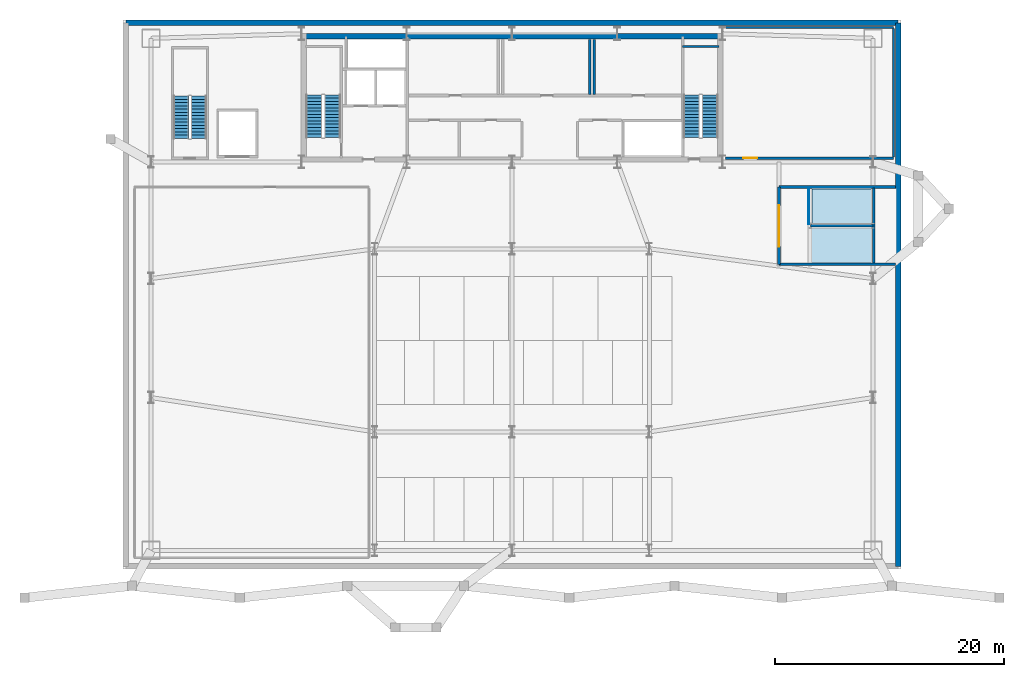
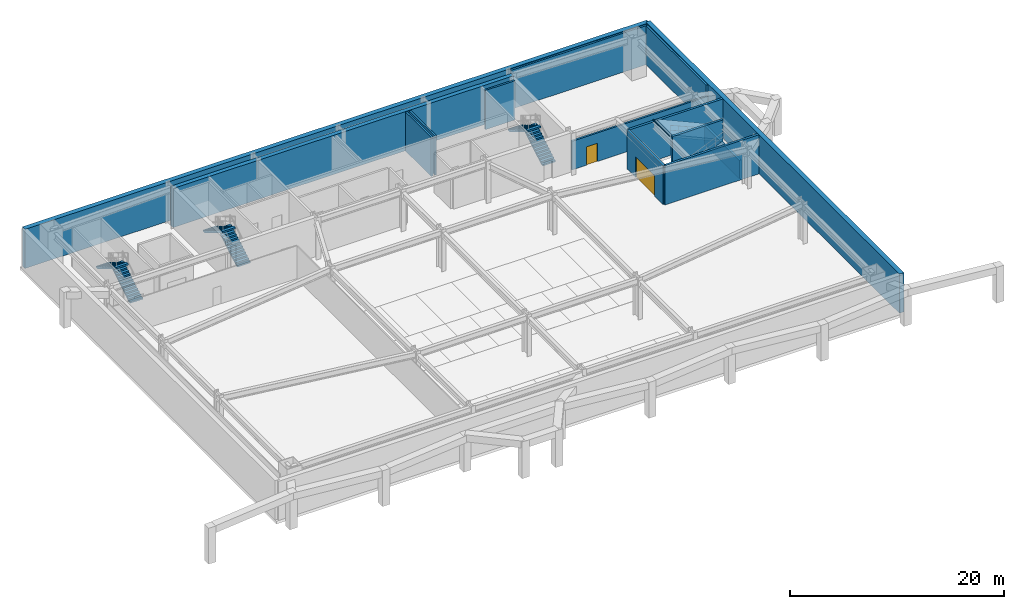
# One storey, part 6 of 9: 14 walls, 6 stair flights, 2 doors, 2 slabs, 1 ramp, 2 openings, 3 elements without a shape of their own.
"""IFC4 building model written with IfcOpenShell, lengths in metres."""

from ifc_helpers import new_model, si_unit, direction, frame, frame_2d, origin, place, context, subcontext, project, spatial, polyline, rectangle, outline, extrude, source, transform, mapped, material, layer, layer_set, type_object, type_shapes, element, fill, aggregate, save


model = new_model("IFC4")

# Units and contexts
model_context = context("Model", 3, precision=1e-05, world=origin(), true_north=direction((0.0, 1.0)))
body_context = subcontext(model_context, "Body", "Model", "MODEL_VIEW")
ifc_project = project(units=[si_unit("LENGTHUNIT", "METRE"), si_unit("AREAUNIT", "SQUARE_METRE"), si_unit("VOLUMEUNIT", "CUBIC_METRE"), si_unit("PLANEANGLEUNIT", "RADIAN"), si_unit("MASSUNIT", "GRAM", prefix="KILO")], contexts=[model_context])

# Slab
ifc_material_1 = material(Name="Concrete CSA A23.3 C40/50", Category="concrete")
ifc_layer_1 = layer(ifc_material_1, 0.25, Name="Concrete CSA A23.3 C40/50")
ifc_layer_set_1 = layer_set([ifc_layer_1], Name="Concrete CSA A23.3 C40/50")
slab_type = type_object("IfcSlabType", Name="Slab_VehicleRampB1", PredefinedType="FLOOR", material=ifc_layer_set_1)
site_placement = place(None, origin())
building_placement = place(site_placement, origin())
storey_placement = place(building_placement, frame((0.0, 0.0, -4.800048828125)))
slab_1_placement = place(storey_placement, frame((60.199951171875, 30.159912109375, 4.800048828125), z_axis=(0.408644061443, 0.0, 0.912693832042), x_axis=(0.0, 1.0, 0.0)))
slab_1 = element("IfcSlab", 1, at=slab_1_placement, type_object=slab_type, Name="B1 Vehicle Ramp Upper Structural Slab", PredefinedType="FLOOR", context=body_context, shape_type="SweptSolid", body=[
    extrude(outline(polyline([(0.0, 0.0), (0.255126953125, 0.0), (0.510009765625, 0.0), (0.76513671875, 0.0), (1.02001953125, 0.0), (1.275146484375, 0.0), (1.530029296875, 0.0), (1.78515625, 0.0), (2.0400390625, 0.0), (2.295166015625, 0.0), (2.550048828125, 0.0), (2.80517578125, 0.0), (3.06005859375, 0.0), (3.06005859375, -5.87284282384402), (2.80517578125, -5.87284282384402), (2.550048828125, -5.87284282384402), (2.295166015625, -5.87284282384402), (2.0400390625, -5.87284282384402), (1.78515625, -5.87284282384402), (1.530029296875, -5.87284282384402), (1.275146484375, -5.87284282384402), (1.02001953125, -5.87284282384402), (0.76513671875, -5.87284282384402), (0.510009765625, -5.87284282384402), (0.255126953125, -5.87284282384402), (0.0, -5.87284282384402), (0.0, 0.0)])), origin(), (0.0, 0.0, -1.0), 0.25),
])

slab_2_placement = place(storey_placement, frame((65.4599609375, 26.820068359375, 2.400146484375), z_axis=(-0.408694195683, 0.0, 0.912671383585), x_axis=(0.0, 1.0, 0.0)))
slab_2 = element("IfcSlab", 2, at=slab_2_placement, type_object=slab_type, Name="B1 Vehicle Ramp Lower Structural Slab", PredefinedType="FLOOR", context=body_context, shape_type="SweptSolid", body=[
    extrude(outline(polyline([(0.0, 0.0), (0.2548828125, 0.0), (0.510009765625, 0.0), (0.764892578125, 0.0), (1.02001953125, 0.0), (1.27490234375, 0.0), (1.530029296875, 0.0), (1.784912109375, 0.0), (2.0400390625, 0.0), (2.294921875, 0.0), (2.550048828125, 0.0), (2.804931640625, 0.0), (3.059814453125, 0.0), (3.059814453125, 5.872719773678094), (2.804931640625, 5.872719773678094), (2.550048828125, 5.872719773678094), (2.294921875, 5.872719773678094), (2.0400390625, 5.872719773678094), (1.784912109375, 5.872719773678094), (1.530029296875, 5.872719773678094), (1.27490234375, 5.872719773678094), (1.02001953125, 5.872719773678094), (0.764892578125, 5.872719773678094), (0.510009765625, 5.872719773678094), (0.2548828125, 5.872719773678094), (0.0, 5.872719773678094), (0.0, 0.0)])), origin(), (0.0, 0.0, -1.0), 0.25),
])

# Site, building, storey
site = spatial("IfcSite", under=ifc_project, at=site_placement, CompositionType="ELEMENT")
building = spatial("IfcBuilding", under=site, at=building_placement, Name="Varnel Quay Broadcast Tower", CompositionType="ELEMENT")
storey = spatial("IfcBuildingStorey", under=building, at=storey_placement, Name="B1", CompositionType="ELEMENT", Elevation=-4.800048828125)

# Walls
ifc_material_2 = material(Name="Concrete CSA A23.3 C50/60", Category="concrete")
ifc_layer_2 = layer(ifc_material_2, 0.5, Name="Concrete CSA A23.3 C50/60")
ifc_layer_set_2 = layer_set([ifc_layer_2], Name="Concrete CSA A23.3 C50/60")
wall_type_1 = type_object("IfcWallType", Name="Wall_BasementRetaining500", PredefinedType="USERDEFINED", material=ifc_layer_set_2)
wall_1_placement = place(storey_placement, frame((67.75, 0.25, 0.0), z_axis=(0.0, 0.0, 1.0), x_axis=(0.0, 1.0, 0.0)))
element("IfcWall", 3, at=wall_1_placement, inside=storey, type_object=wall_type_1, Name="B1 Perimeter Retaining Wall E", ObjectType="RETAININGWALL", PredefinedType="USERDEFINED", context=body_context, shape_type="SweptSolid", body=[
    extrude(rectangle(XDim=47.5, YDim=0.5, at=frame_2d((23.75, 0.0))), origin(), (0.0, 0.0, 1.0), 4.47998046875),
])
wall_2_placement = place(storey_placement, frame((67.75, 47.75, 0.0), z_axis=(0.0, 0.0, 1.0), x_axis=(-1.0, 0.0, 0.0)))
element("IfcWall", 4, at=wall_2_placement, inside=storey, type_object=wall_type_1, Name="B1 Perimeter Retaining Wall N", ObjectType="RETAININGWALL", PredefinedType="USERDEFINED", context=body_context, shape_type="SweptSolid", body=[
    extrude(rectangle(XDim=67.5, YDim=0.5, at=frame_2d((33.75, 0.0))), origin(), (0.0, 0.0, 1.0), 4.47998046875),
])
ifc_layer_3 = layer(ifc_material_2, 0.199951171875, Name="Concrete CSA A23.3 C50/60")
ifc_layer_set_3 = layer_set([ifc_layer_3], Name="Concrete CSA A23.3 C50/60")
wall_type_2 = type_object("IfcWallType", Name="Wall_CoreShaftShear200", PredefinedType="SHEAR", material=ifc_layer_set_3)
wall_3_placement = place(storey_placement, frame((48.919921875, 45.679931640625, 0.0), z_axis=(0.0, 0.0, 1.0), x_axis=(1.0, 0.0, 0.0)))
element("IfcWall", 5, at=wall_3_placement, inside=storey, type_object=wall_type_2, Name="B1 Stair 2 North Structural Wall", PredefinedType="SHEAR", context=body_context, shape_type="SweptSolid", body=[
    extrude(rectangle(XDim=3.18017578125, YDim=0.199951171875, at=frame_2d((1.590087890625, 0.0))), origin(), (0.0, 0.0, 1.0), 4.47998046875),
])
ifc_layer_4 = layer(ifc_material_2, 0.25, Name="Concrete CSA A23.3 C50/60")
ifc_layer_set_4 = layer_set([ifc_layer_4], Name="Concrete CSA A23.3 C50/60")
wall_type_3 = type_object("IfcWallType", Name="Wall_CoreShaftShear250", PredefinedType="SHEAR", material=ifc_layer_set_4)
for number, where, z_axis, x_axis, name in (
    (6, (57.320068359375, 26.64990234375, 0.0), (0.0, 0.0, 1.0), (1.0, 0.0, 0.0), "B1 Vehicle Ramp Structural Enclosure Wall S"),
    (7, (57.320068359375, 33.39990234375, 0.0), (0.0, 0.0, 1.0), (1.0, 0.0, 0.0), "B1 Vehicle Ramp Structural Enclosure Wall N"),
):
    element("IfcWall", number, at=place(storey_placement, frame(where, z_axis=z_axis, x_axis=x_axis)), inside=storey, type_object=wall_type_3, Name=name, PredefinedType="SHEAR", context=body_context, shape_type="SweptSolid", body=[
        extrude(rectangle(XDim=10.179931640625, YDim=0.25, at=frame_2d((5.08984375, 0.0))), origin(), (0.0, 0.0, 1.0), 4.47998046875),
    ])
wall_4_placement = place(storey_placement, frame((60.080078125, 30.02001953125, 0.0), z_axis=(0.0, 0.0, 1.0), x_axis=(1.0, 0.0, 0.0)))
element("IfcWall", 8, at=wall_4_placement, inside=storey, type_object=wall_type_3, Name="B1 Vehicle Ramp Structural Enclosure Wall DIV", PredefinedType="SHEAR", context=body_context, shape_type="SweptSolid", body=[
    extrude(rectangle(XDim=5.47998046875, YDim=0.25, at=frame_2d((2.739990234375, 0.0))), origin(), (0.0, 0.0, 1.0), 4.800048828125),
])

# Wall, opening, door
wall_5_placement = place(storey_placement, frame((57.320068359375, 26.64990234375, 0.0), z_axis=(0.0, 0.0, 1.0), x_axis=(0.0, 1.0, 0.0)))
wall_5 = element("IfcWall", 9, at=wall_5_placement, inside=storey, type_object=wall_type_3, Name="B1 Vehicle Ramp West Portal Wall", PredefinedType="SHEAR", context=body_context, shape_type="SweptSolid", body=[
    extrude(rectangle(XDim=6.75, YDim=0.25, at=frame_2d((3.375, 0.0))), origin(), (0.0, 0.0, 1.0), 4.47998046875),
])
opening_1_placement = place(wall_5_placement, frame((1.550048828125, 0.0, 0.0)))
opening_1 = element("IfcOpeningElement", 10, at=opening_1_placement, cuts=wall_5, Name="Opening GT-B1A", PredefinedType="OPENING", context=body_context, shape_type="SweptSolid", body=[
    extrude(rectangle(XDim=3.60009765625, YDim=2.35009765625, at=frame_2d((1.800048828125, 1.175048828125))), frame((0.0, 0.135009765625, 0.0), z_axis=(0.0, -1.0, 0.0), x_axis=(1.0, 0.0, 0.0)), (0.0, 0.0, 1.0), 0.27001953125),
])
ifc_material_3 = material(Name="Galvanised Steel Parking Shutter Assembly", Category="steel")
door_type_1 = type_object("IfcDoorType", Name="Gate_BasementRamp3600", OperationType="ROLLINGUP", PredefinedType="GATE", material=ifc_material_3)
shared_shape_1 = source(origin(), body_context, "Body", "SweptSolid", [
    extrude(rectangle(XDim=3.60009765625, YDim=2.35009765625, at=frame_2d((1.800048828125, 1.175048828125))), frame((0.0, 0.02490234375, 0.0), z_axis=(0.0, -1.0, 0.0), x_axis=(1.0, 0.0, 0.0)), (0.0, 0.0, 1.0), 0.050048828125),
])
type_shapes(door_type_1, [shared_shape_1])
door_1_placement = place(opening_1_placement, frame((3.60009765625, 0.0, 0.0), z_axis=(0.0, 0.0, 1.0), x_axis=(-1.0, 0.0, 0.0)))
door_1 = element("IfcDoor", 11, at=door_1_placement, inside=storey, type_object=door_type_1, Name="B1 Vehicle Ramp Shutter Gate", OperationType="ROLLINGUP", OverallHeight=2.35009765625, OverallWidth=3.60009765625, PredefinedType="GATE", context=body_context, shape_type="MappedRepresentation", body=[
    mapped(shared_shape_1, transform((0.0, 0.0, 0.0), x_axis=(1.0, 0.0, 0.0), y_axis=(0.0, 1.0, 0.0), z_axis=(0.0, 0.0, 1.0), scale=1.0)),
])
fill(opening_1, door_1)

# Walls
wall_6_placement = place(storey_placement, frame((65.6201171875, 26.75, 0.0), z_axis=(0.0, 0.0, 1.0), x_axis=(0.0, 1.0, 0.0)))
element("IfcWall", 12, at=wall_6_placement, inside=storey, type_object=wall_type_3, Name="B1 Vehicle Ramp Mid-Landing Support Wall", PredefinedType="SHEAR", context=body_context, shape_type="SweptSolid", body=[
    extrude(rectangle(XDim=6.550048828125, YDim=0.25, at=frame_2d((3.27490234375, 0.0))), origin(), (0.0, 0.0, 1.0), 2.10009765625),
])
ifc_material_4 = material(Name="Concrete CSA A23.3 C60/75", Category="concrete")
ifc_layer_5 = layer(ifc_material_4, 0.449951171875, Name="Concrete CSA A23.3 C60/75")
ifc_layer_set_5 = layer_set([ifc_layer_5], Name="Concrete CSA A23.3 C60/75")
wall_type_4 = type_object("IfcWallType", Name="Wall_CoreShearInt450", PredefinedType="SHEAR", material=ifc_layer_set_5)
wall_7_placement = place(storey_placement, frame((15.60009765625, 46.574951171875, 0.0), z_axis=(0.0, 0.0, 1.0), x_axis=(1.0, 0.0, 0.0)))
element("IfcWall", 13, at=wall_7_placement, inside=storey, type_object=wall_type_4, Name="B1 North Core Shear Wall", PredefinedType="SHEAR", context=body_context, shape_type="SweptSolid", body=[
    extrude(rectangle(XDim=36.7998046875, YDim=0.449951171875, at=frame_2d((18.39990234375, 0.0))), origin(), (0.0, 0.0, 1.0), 4.47998046875),
])

# Wall, opening, door
ifc_material_5 = material(Name="Concrete Blockwork Fire Enclosure C40/50", Category="masonry")
ifc_layer_6 = layer(ifc_material_5, 0.199951171875, Name="Concrete Blockwork Fire Enclosure C40/50")
ifc_layer_set_6 = layer_set([ifc_layer_6], Name="Concrete Blockwork Fire Enclosure C40/50")
wall_type_5 = type_object("IfcWallType", Name="Wall_FireShaft200", PredefinedType="SOLIDWALL", material=ifc_layer_set_6)
wall_8_placement = place(storey_placement, frame((52.64990234375, 35.925048828125, 0.0), z_axis=(0.0, 0.0, 1.0), x_axis=(1.0, 0.0, 0.0)))
wall_8 = element("IfcWall", 14, at=wall_8_placement, inside=storey, type_object=wall_type_5, Name="B1 13.8 kV Hydro Substation & Standby Generator Plant Room Partition 12", PredefinedType="SOLIDWALL", context=body_context, shape_type="SweptSolid", body=[
    extrude(rectangle(XDim=14.7001953125, YDim=0.199951171875, at=frame_2d((7.35009765625, 0.0))), origin(), (0.0, 0.0, 1.0), 3.275146484375),
])
opening_2_placement = place(wall_8_placement, frame((1.574951171875, 0.0, 0.0)))
opening_2 = element("IfcOpeningElement", 15, at=opening_2_placement, cuts=wall_8, Name="Opening D-B1-05", PredefinedType="OPENING", context=body_context, shape_type="SweptSolid", body=[
    extrude(rectangle(XDim=1.199951171875, YDim=2.10009765625, at=frame_2d((0.60009765625, 1.050048828125))), frame((0.0, 0.10986328125, 0.0), z_axis=(0.0, -1.0, 0.0), x_axis=(1.0, 0.0, 0.0)), (0.0, 0.0, 1.0), 0.219970703125),
])
ifc_material_6 = material(Name="Insulated Fire-Rated Hollow Steel Door", Category="steel")
door_type_2 = type_object("IfcDoorType", Name="Door_Plant1200", OperationType="NOTDEFINED", PredefinedType="DOOR", material=ifc_material_6)
shared_shape_2 = source(origin(), body_context, "Body", "SweptSolid", [
    extrude(rectangle(XDim=1.199951171875, YDim=2.10009765625, at=frame_2d((0.60009765625, 1.050048828125))), frame((0.0, 0.02490234375, 0.0), z_axis=(0.0, -1.0, 0.0), x_axis=(1.0, 0.0, 0.0)), (0.0, 0.0, 1.0), 0.050048828125),
])
type_shapes(door_type_2, [shared_shape_2])
door_2_placement = place(opening_2_placement, frame((1.199951171875, 0.0, 0.0), z_axis=(0.0, 0.0, 1.0), x_axis=(-1.0, 0.0, 0.0)))
door_2 = element("IfcDoor", 16, at=door_2_placement, inside=storey, type_object=door_type_2, Name="B1 13.8 kV Hydro Substation & Standby Generator Plant Room Door D-B1-05", OperationType="SINGLE_SWING_RIGHT", OverallHeight=2.10009765625, OverallWidth=1.199951171875, PredefinedType="DOOR", context=body_context, shape_type="MappedRepresentation", body=[
    mapped(shared_shape_2, transform((0.0, 0.0, 0.0), x_axis=(1.0, 0.0, 0.0), y_axis=(0.0, 1.0, 0.0), z_axis=(0.0, 0.0, 1.0), scale=1.0)),
])
fill(opening_2, door_2)

# Walls
wall_9_placement = place(storey_placement, frame((67.35009765625, 36.02490234375, 0.0), z_axis=(0.0, 0.0, 1.0), x_axis=(0.0, 1.0, 0.0)))
element("IfcWall", 17, at=wall_9_placement, inside=storey, type_object=wall_type_5, Name="B1 13.8 kV Hydro Substation & Standby Generator Plant Room Partition 13", PredefinedType="SOLIDWALL", context=body_context, shape_type="SweptSolid", body=[
    extrude(rectangle(XDim=11.22509765625, YDim=0.199951171875, at=frame_2d((5.612548828125, 0.0))), origin(), (0.0, 0.0, 1.0), 4.4599609375),
])
wall_10_placement = place(storey_placement, frame((52.64990234375, 47.35009765625, 0.0), z_axis=(0.0, 0.0, 1.0), x_axis=(1.0, 0.0, 0.0)))
element("IfcWall", 18, at=wall_10_placement, inside=storey, type_object=wall_type_5, Name="B1 13.8 kV Hydro Substation & Standby Generator Plant Room Partition 14", PredefinedType="SOLIDWALL", context=body_context, shape_type="SweptSolid", body=[
    extrude(rectangle(XDim=14.7001953125, YDim=0.199951171875, at=frame_2d((7.35009765625, 0.0))), origin(), (0.0, 0.0, 1.0), 4.4599609375),
])
for number, where, z_axis, x_axis, name in (
    (19, (40.800048828125, 41.5, 0.0), (0.0, 0.0, 1.0), (0.0, 1.0, 0.0), "B1 Sprinkler Valve Room Partition 16"),
    (20, (41.199951171875, 41.5, 0.0), (0.0, 0.0, 1.0), (0.0, 1.0, 0.0), "B1 Main Switchgear Vault Partition 18"),
):
    element("IfcWall", number, at=place(storey_placement, frame(where, z_axis=z_axis, x_axis=x_axis)), inside=storey, type_object=wall_type_5, Name=name, PredefinedType="SOLIDWALL", context=body_context, shape_type="SweptSolid", body=[
        extrude(rectangle(XDim=4.800048828125, YDim=0.199951171875, at=frame_2d((2.39990234375, 0.0))), origin(), (0.0, 0.0, 1.0), 4.4599609375),
    ])

# Stair, stair flights
ifc_material_7 = material(Name="Precast Structural Concrete C40/50", Category="concrete")
stair_type_1 = type_object("IfcStairType", Name="Stair_ST-01", PredefinedType="HALF_TURN_STAIR", material=ifc_material_7)
stair_1_placement = place(storey_placement, origin())
stair_1 = element("IfcStair", 21, at=stair_1_placement, inside=storey, type_object=stair_type_1, Name="B1 West Core Exit Stair 1", PredefinedType="HALF_TURN_STAIR")
stair_flight_type_1 = type_object("IfcStairFlightType", Name="Flight_ST-01", PredefinedType="STRAIGHT", material=ifc_material_7)
stair_flight_1_placement = place(storey_placement, frame((18.300048828125, 37.75, 0.0), z_axis=(0.0, 0.0, 1.0), x_axis=(0.0, 1.0, 0.0)))
stair_flight_1 = element("IfcStairFlight", 22, at=stair_flight_1_placement, type_object=stair_flight_type_1, Name="ST-01 flight 1", NumberOfRisers=14, NumberOfTreads=13, PredefinedType="STRAIGHT", RiserHeight=0.171428571, TreadLength=0.285, context=body_context, shape_type="SweptSolid", body=[
    extrude(outline(polyline([(0.0, 0.0), (0.0, 0.17138671875), (0.284912109375, 0.17138671875), (0.284912109375, 0.3427734375), (0.570068359375, 0.3427734375), (0.570068359375, 0.514404296875), (0.85498046875, 0.514404296875), (0.85498046875, 0.685791015625), (1.139892578125, 0.685791015625), (1.139892578125, 0.857177734375), (1.425048828125, 0.857177734375), (1.425048828125, 1.028564453125), (1.7099609375, 1.028564453125), (1.7099609375, 1.199951171875), (1.9951171875, 1.199951171875), (1.9951171875, 1.371337890625), (2.280029296875, 1.371337890625), (2.280029296875, 1.54296875), (2.56494140625, 1.54296875), (2.56494140625, 1.71435546875), (2.85009765625, 1.71435546875), (2.85009765625, 1.8857421875), (3.135009765625, 1.8857421875), (3.135009765625, 2.05712890625), (3.419921875, 2.05712890625), (3.419921875, 2.228515625), (3.705078125, 2.228515625), (3.705078125, 2.39990234375), (3.705078125, 2.0537109375), (0.290771484375, 0.0), (0.0, 0.0)])), frame((0.0, 0.699951171875, 0.0), z_axis=(0.0, -1.0, 0.0), x_axis=(1.0, 0.0, 0.0)), (0.0, 0.0, 1.0), 1.39990234375),
])
stair_flight_2_placement = place(storey_placement, frame((16.699951171875, 41.455078125, 2.400146484375), z_axis=(0.0, 0.0, 1.0), x_axis=(0.0, -1.0, 0.0)))
stair_flight_2 = element("IfcStairFlight", 23, at=stair_flight_2_placement, type_object=stair_flight_type_1, Name="ST-01 flight 2", NumberOfRisers=14, NumberOfTreads=13, PredefinedType="STRAIGHT", RiserHeight=0.171428571, TreadLength=0.285, context=body_context, shape_type="SweptSolid", body=[
    extrude(outline(polyline([(0.0, 0.0), (0.0, 0.17138671875), (0.284912109375, 0.17138671875), (0.284912109375, 0.3427734375), (0.570068359375, 0.3427734375), (0.570068359375, 0.514404296875), (0.85498046875, 0.514404296875), (0.85498046875, 0.685791015625), (1.139892578125, 0.685791015625), (1.139892578125, 0.857177734375), (1.425048828125, 0.857177734375), (1.425048828125, 1.028564453125), (1.7099609375, 1.028564453125), (1.7099609375, 1.199951171875), (1.9951171875, 1.199951171875), (1.9951171875, 1.371337890625), (2.280029296875, 1.371337890625), (2.280029296875, 1.54296875), (2.56494140625, 1.54296875), (2.56494140625, 1.71435546875), (2.85009765625, 1.71435546875), (2.85009765625, 1.8857421875), (3.135009765625, 1.8857421875), (3.135009765625, 2.05712890625), (3.419921875, 2.05712890625), (3.419921875, 2.228515625), (3.705078125, 2.228515625), (3.705078125, 2.39990234375), (3.705078125, 2.0537109375), (0.290771484375, 0.0), (0.0, 0.0)])), frame((0.0, 0.699951171875, 0.0), z_axis=(0.0, -1.0, 0.0), x_axis=(1.0, 0.0, 0.0)), (0.0, 0.0, 1.0), 1.39990234375),
])
aggregate(stair_1, [stair_flight_1, stair_flight_2])

stair_type_2 = type_object("IfcStairType", Name="Stair_ST-02", PredefinedType="HALF_TURN_STAIR", material=ifc_material_7)
stair_2_placement = place(storey_placement, origin())
stair_2 = element("IfcStair", 24, at=stair_2_placement, inside=storey, type_object=stair_type_2, Name="B1 East Core Exit Stair 2", PredefinedType="HALF_TURN_STAIR")
stair_flight_type_2 = type_object("IfcStairFlightType", Name="Flight_ST-02", PredefinedType="STRAIGHT", material=ifc_material_7)
stair_flight_3_placement = place(storey_placement, frame((51.300048828125, 37.75, 0.0), z_axis=(0.0, 0.0, 1.0), x_axis=(0.0, 1.0, 0.0)))
stair_flight_3 = element("IfcStairFlight", 25, at=stair_flight_3_placement, type_object=stair_flight_type_2, Name="ST-02 flight 1", NumberOfRisers=14, NumberOfTreads=13, PredefinedType="STRAIGHT", RiserHeight=0.171428571, TreadLength=0.285, context=body_context, shape_type="SweptSolid", body=[
    extrude(outline(polyline([(0.0, 0.0), (0.0, 0.17138671875), (0.284912109375, 0.17138671875), (0.284912109375, 0.3427734375), (0.570068359375, 0.3427734375), (0.570068359375, 0.514404296875), (0.85498046875, 0.514404296875), (0.85498046875, 0.685791015625), (1.139892578125, 0.685791015625), (1.139892578125, 0.857177734375), (1.425048828125, 0.857177734375), (1.425048828125, 1.028564453125), (1.7099609375, 1.028564453125), (1.7099609375, 1.199951171875), (1.9951171875, 1.199951171875), (1.9951171875, 1.371337890625), (2.280029296875, 1.371337890625), (2.280029296875, 1.54296875), (2.56494140625, 1.54296875), (2.56494140625, 1.71435546875), (2.85009765625, 1.71435546875), (2.85009765625, 1.8857421875), (3.135009765625, 1.8857421875), (3.135009765625, 2.05712890625), (3.419921875, 2.05712890625), (3.419921875, 2.228515625), (3.705078125, 2.228515625), (3.705078125, 2.39990234375), (3.705078125, 2.0537109375), (0.290771484375, 0.0), (0.0, 0.0)])), frame((0.0, 0.699951171875, 0.0), z_axis=(0.0, -1.0, 0.0), x_axis=(1.0, 0.0, 0.0)), (0.0, 0.0, 1.0), 1.39990234375),
])
stair_flight_4_placement = place(storey_placement, frame((49.699951171875, 41.455078125, 2.400146484375), z_axis=(0.0, 0.0, 1.0), x_axis=(0.0, -1.0, 0.0)))
stair_flight_4 = element("IfcStairFlight", 26, at=stair_flight_4_placement, type_object=stair_flight_type_2, Name="ST-02 flight 2", NumberOfRisers=14, NumberOfTreads=13, PredefinedType="STRAIGHT", RiserHeight=0.171428571, TreadLength=0.285, context=body_context, shape_type="SweptSolid", body=[
    extrude(outline(polyline([(0.0, 0.0), (0.0, 0.17138671875), (0.284912109375, 0.17138671875), (0.284912109375, 0.3427734375), (0.570068359375, 0.3427734375), (0.570068359375, 0.514404296875), (0.85498046875, 0.514404296875), (0.85498046875, 0.685791015625), (1.139892578125, 0.685791015625), (1.139892578125, 0.857177734375), (1.425048828125, 0.857177734375), (1.425048828125, 1.028564453125), (1.7099609375, 1.028564453125), (1.7099609375, 1.199951171875), (1.9951171875, 1.199951171875), (1.9951171875, 1.371337890625), (2.280029296875, 1.371337890625), (2.280029296875, 1.54296875), (2.56494140625, 1.54296875), (2.56494140625, 1.71435546875), (2.85009765625, 1.71435546875), (2.85009765625, 1.8857421875), (3.135009765625, 1.8857421875), (3.135009765625, 2.05712890625), (3.419921875, 2.05712890625), (3.419921875, 2.228515625), (3.705078125, 2.228515625), (3.705078125, 2.39990234375), (3.705078125, 2.0537109375), (0.290771484375, 0.0), (0.0, 0.0)])), frame((0.0, 0.699951171875, 0.0), z_axis=(0.0, -1.0, 0.0), x_axis=(1.0, 0.0, 0.0)), (0.0, 0.0, 1.0), 1.39990234375),
])
aggregate(stair_2, [stair_flight_3, stair_flight_4])

stair_type_3 = type_object("IfcStairType", Name="Stair_ST-03", PredefinedType="HALF_TURN_STAIR", material=ifc_material_7)
stair_3_placement = place(storey_placement, origin())
stair_3 = element("IfcStair", 27, at=stair_3_placement, inside=storey, type_object=stair_type_3, Name="B1 Podium Studio Exit Stair 3", PredefinedType="HALF_TURN_STAIR")
stair_flight_type_3 = type_object("IfcStairFlightType", Name="Flight_ST-03", PredefinedType="STRAIGHT", material=ifc_material_7)
stair_flight_5_placement = place(storey_placement, frame((6.625, 37.64990234375, 0.0), z_axis=(0.0, 0.0, 1.0), x_axis=(0.0, 1.0, 0.0)))
stair_flight_5 = element("IfcStairFlight", 28, at=stair_flight_5_placement, type_object=stair_flight_type_3, Name="ST-03 flight 1", NumberOfRisers=14, NumberOfTreads=13, PredefinedType="STRAIGHT", RiserHeight=0.171428571, TreadLength=0.285, context=body_context, shape_type="SweptSolid", body=[
    extrude(outline(polyline([(0.0, 0.0), (0.0, 0.17138671875), (0.284912109375, 0.17138671875), (0.284912109375, 0.3427734375), (0.570068359375, 0.3427734375), (0.570068359375, 0.514404296875), (0.85498046875, 0.514404296875), (0.85498046875, 0.685791015625), (1.139892578125, 0.685791015625), (1.139892578125, 0.857177734375), (1.425048828125, 0.857177734375), (1.425048828125, 1.028564453125), (1.7099609375, 1.028564453125), (1.7099609375, 1.199951171875), (1.9951171875, 1.199951171875), (1.9951171875, 1.371337890625), (2.280029296875, 1.371337890625), (2.280029296875, 1.54296875), (2.56494140625, 1.54296875), (2.56494140625, 1.71435546875), (2.85009765625, 1.71435546875), (2.85009765625, 1.8857421875), (3.135009765625, 1.8857421875), (3.135009765625, 2.05712890625), (3.419921875, 2.05712890625), (3.419921875, 2.228515625), (3.705078125, 2.228515625), (3.705078125, 2.39990234375), (3.705078125, 2.0537109375), (0.290771484375, 0.0), (0.0, 0.0)])), frame((0.0, 0.675048828125, 0.0), z_axis=(0.0, -1.0, 0.0), x_axis=(1.0, 0.0, 0.0)), (0.0, 0.0, 1.0), 1.35009765625),
])
stair_flight_6_placement = place(storey_placement, frame((5.074951171875, 41.35498046875, 2.400146484375), z_axis=(0.0, 0.0, 1.0), x_axis=(0.0, -1.0, 0.0)))
stair_flight_6 = element("IfcStairFlight", 29, at=stair_flight_6_placement, type_object=stair_flight_type_3, Name="ST-03 flight 2", NumberOfRisers=14, NumberOfTreads=13, PredefinedType="STRAIGHT", RiserHeight=0.171428571, TreadLength=0.285, context=body_context, shape_type="SweptSolid", body=[
    extrude(outline(polyline([(0.0, 0.0), (0.0, 0.17138671875), (0.284912109375, 0.17138671875), (0.284912109375, 0.3427734375), (0.570068359375, 0.3427734375), (0.570068359375, 0.514404296875), (0.85498046875, 0.514404296875), (0.85498046875, 0.685791015625), (1.139892578125, 0.685791015625), (1.139892578125, 0.857177734375), (1.425048828125, 0.857177734375), (1.425048828125, 1.028564453125), (1.7099609375, 1.028564453125), (1.7099609375, 1.199951171875), (1.9951171875, 1.199951171875), (1.9951171875, 1.371337890625), (2.280029296875, 1.371337890625), (2.280029296875, 1.54296875), (2.56494140625, 1.54296875), (2.56494140625, 1.71435546875), (2.85009765625, 1.71435546875), (2.85009765625, 1.8857421875), (3.135009765625, 1.8857421875), (3.135009765625, 2.05712890625), (3.419921875, 2.05712890625), (3.419921875, 2.228515625), (3.705078125, 2.228515625), (3.705078125, 2.39990234375), (3.705078125, 2.0537109375), (0.290771484375, 0.0), (0.0, 0.0)])), frame((0.0, 0.675048828125, 0.0), z_axis=(0.0, -1.0, 0.0), x_axis=(1.0, 0.0, 0.0)), (0.0, 0.0, 1.0), 1.35009765625),
])
aggregate(stair_3, [stair_flight_5, stair_flight_6])

# Ramp
ramp_type = type_object("IfcRampType", Name="Ramp_VehicleB1", PredefinedType="STRAIGHT_RUN_RAMP", material=ifc_material_1)
ramp_placement = place(storey_placement, frame((0.0, 0.0, 4.75)))
ramp = element("IfcRamp", 30, at=ramp_placement, inside=storey, type_object=ramp_type, Name="B1 Vehicle Circulation Ramp", PredefinedType="STRAIGHT_RUN_RAMP", context=body_context, shape_type="SweptSolid", body=[
    extrude(outline(polyline([(59.89990234375, 30.159912109375), (59.9599609375, 30.159912109375), (59.9599609375, 33.219970703125), (59.89990234375, 33.219970703125), (59.89990234375, 30.159912109375)])), origin(), (0.0, 0.0, 1.0), 0.050048828125),
])

aggregate(ramp, [slab_1, slab_2])

save(model, "model.ifc")
